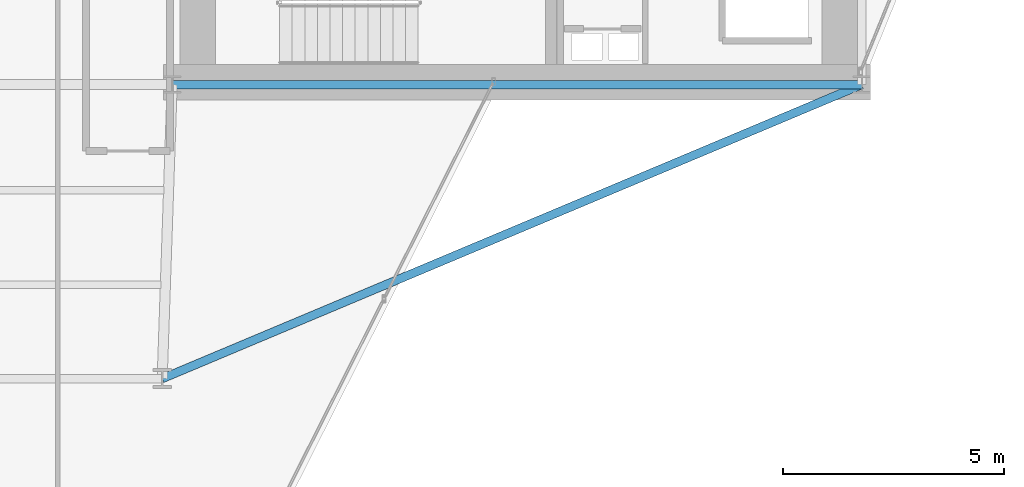
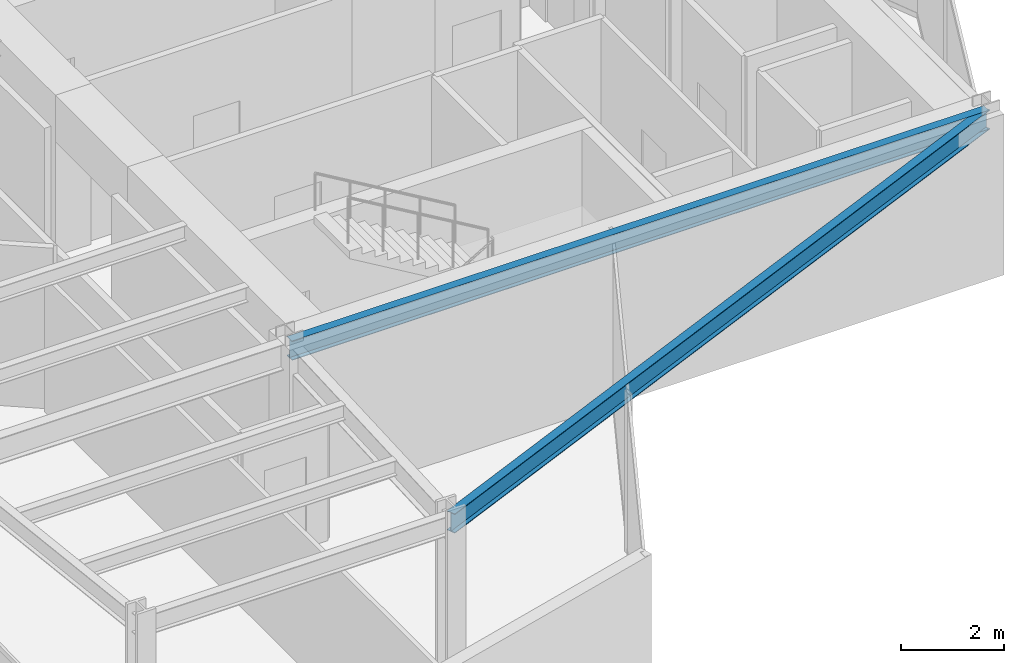
# One storey, part 13 of 26: 2 beams.
"""IFC4 building model written with IfcOpenShell, lengths in metres."""

from ifc_helpers import new_model, si_unit, direction, frame, origin, origin_2d, place, context, subcontext, project, spatial, i_section, extrude, material, material_profile, profile_set, type_object, element, save


model = new_model("IFC4")

# Units and contexts
model_context = context("Model", 3, precision=1e-05, world=origin(), true_north=direction((0.0, 1.0)))
body_context = subcontext(model_context, "Body", "Model", "MODEL_VIEW")
ifc_project = project(units=[si_unit("LENGTHUNIT", "METRE"), si_unit("AREAUNIT", "SQUARE_METRE"), si_unit("VOLUMEUNIT", "CUBIC_METRE"), si_unit("PLANEANGLEUNIT", "RADIAN"), si_unit("MASSUNIT", "GRAM", prefix="KILO")], contexts=[model_context])

# Site, building, storey
site_placement = place(None, origin())
site = spatial("IfcSite", under=ifc_project, at=site_placement, CompositionType="ELEMENT")
building_placement = place(site_placement, origin())
building = spatial("IfcBuilding", under=site, at=building_placement, Name="Veymaron Broadcast Tower", CompositionType="ELEMENT")
storey_placement = place(building_placement, frame((0.0, 0.0, 133.050048828125)))
storey = spatial("IfcBuildingStorey", under=building, at=storey_placement, Name="L30", CompositionType="ELEMENT", Elevation=133.050048828125)

# Beams
ifc_material = material(Name="Structural steel ASTM A992 Gr 50", Category="steel")
ifc_material_profile = material_profile(ifc_material, i_section(OverallWidth=0.19091796875, OverallDepth=0.4599609375, WebThickness=0.010009765625, FlangeThickness=0.01611328125, at=origin_2d()), Name="W460X82")
ifc_profile_set = profile_set([ifc_material_profile], Name="Structural steel ASTM A992 Gr 50")
beam_type = type_object("IfcBeamType", Name="BM-SP1", PredefinedType="SPANDREL", material=ifc_profile_set)
beam_1_placement = place(storey_placement, frame((39.0, 16.0, 3.579833984375), z_axis=(1.0, 0.0, 0.0), x_axis=(0.0, 1.0, 0.0)))
element("IfcBeam", 1, at=beam_1_placement, inside=storey, type_object=beam_type, Name="L30 primary structural floor girder", PredefinedType="SPANDREL", context=body_context, shape_type="SweptSolid", body=[
    extrude(i_section(OverallWidth=0.19091796875, OverallDepth=0.4599609375, WebThickness=0.010009765625, FlangeThickness=0.01611328125, at=origin_2d()), origin(), (0.0, 0.0, 1.0), 15.60009765625),
])
beam_2_placement = place(storey_placement, frame((54.60009765625, 16.0, 3.579833984375), z_axis=(-0.921913032928, -0.38739690205, 0.0), x_axis=(0.38739690205, -0.921913032928, 0.0)))
element("IfcBeam", 2, at=beam_2_placement, inside=storey, type_object=beam_type, Name="L30 primary structural floor girder", PredefinedType="SPANDREL", context=body_context, shape_type="SweptSolid", body=[
    extrude(i_section(OverallWidth=0.19091796875, OverallDepth=0.4599609375, WebThickness=0.010009765625, FlangeThickness=0.01611328125, at=origin_2d()), origin(), (0.0, 0.0, 1.0), 17.16552734375),
])

save(model, "model.ifc")
